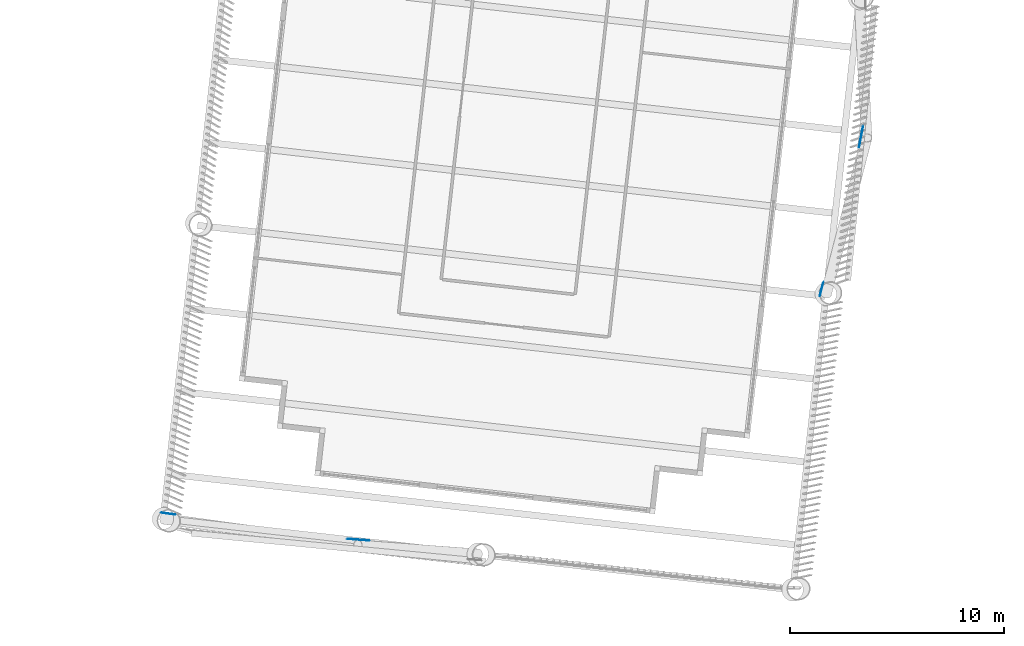
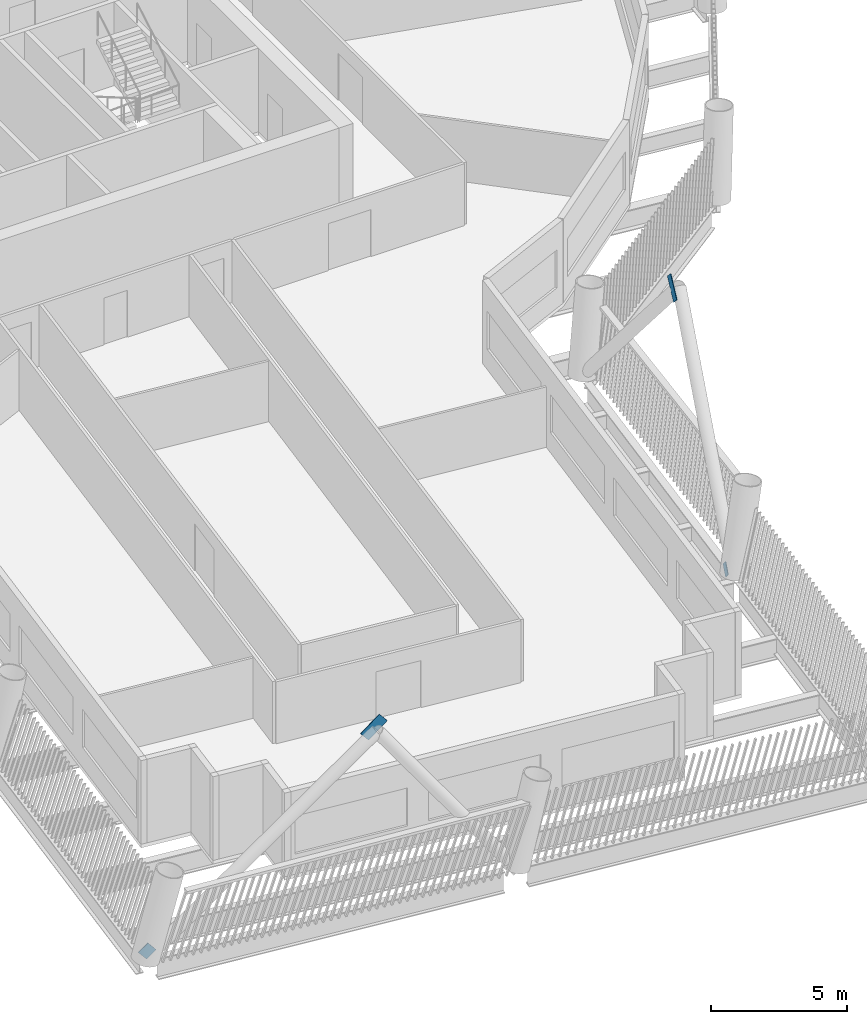
# One storey, part 8 of 22: 4 discrete accessories.
"""IFC4 building model written with IfcOpenShell, lengths in metres."""

from ifc_helpers import new_model, si_unit, direction, frame, origin, origin_2d, place, context, subcontext, project, spatial, rectangle, extrude, material, material_profile, profile_set, type_object, element, save


model = new_model("IFC4")

# Units and contexts
model_context = context("Model", 3, precision=1e-05, world=origin(), true_north=direction((0.0, 1.0)))
body_context = subcontext(model_context, "Body", "Model", "MODEL_VIEW")
ifc_project = project(units=[si_unit("LENGTHUNIT", "METRE"), si_unit("AREAUNIT", "SQUARE_METRE"), si_unit("VOLUMEUNIT", "CUBIC_METRE"), si_unit("PLANEANGLEUNIT", "RADIAN"), si_unit("MASSUNIT", "GRAM", prefix="KILO")], contexts=[model_context])

# Site, building, storey
site_placement = place(None, origin())
site = spatial("IfcSite", under=ifc_project, at=site_placement, CompositionType="ELEMENT")
building_placement = place(site_placement, origin())
building = spatial("IfcBuilding", under=site, at=building_placement, Name="Tarsis Ring Headquarters", CompositionType="ELEMENT")
storey_placement = place(building_placement, frame((0.0, 0.0, 200.39990234375)))
storey = spatial("IfcBuildingStorey", under=building, at=storey_placement, Name="L46", CompositionType="ELEMENT", Elevation=200.39990234375)

# Discrete accessories
ifc_material = material(Name="Structural steel S355", Category="steel")
ifc_material_profile = material_profile(ifc_material, rectangle(XDim=0.02490234375, YDim=0.5, at=origin_2d()), Name="PL 25x500")
ifc_profile_set = profile_set([ifc_material_profile], Name="Structural steel S355")
discrete_accessory_type = type_object("IfcDiscreteAccessoryType", Name="Gusset plate Exo brace 25", PredefinedType="BRACKET", material=ifc_profile_set)
discrete_accessory_1_placement = place(storey_placement, frame((-20.592529296875, -50.542724609375, 0.0), z_axis=(0.754731226633, -0.103494838322, 0.647819105913), x_axis=(0.135856689467, 0.990728499604, 0.0)))
element("IfcDiscreteAccessory", 1, at=discrete_accessory_1_placement, inside=storey, type_object=discrete_accessory_type, Name="Gusset plate GP5", PredefinedType="BRACKET", context=body_context, shape_type="SweptSolid", body=[
    extrude(rectangle(XDim=0.02490234375, YDim=0.5, at=origin_2d()), origin(), (0.0, 0.0, 1.0), 0.5),
])
discrete_accessory_2_placement = place(storey_placement, frame((-11.897705078125, -51.758056640625, 7.47607421875), z_axis=(0.75950978209, -0.057616299766, 0.647939235508), x_axis=(0.075642513733, 0.997135000948, 0.0)))
element("IfcDiscreteAccessory", 2, at=discrete_accessory_2_placement, inside=storey, type_object=discrete_accessory_type, Name="Gusset plate GP5", PredefinedType="BRACKET", context=body_context, shape_type="SweptSolid", body=[
    extrude(rectangle(XDim=0.02490234375, YDim=0.5, at=origin_2d()), origin(), (0.0, 0.0, 1.0), 1.0),
])
discrete_accessory_3_placement = place(storey_placement, frame((10.085693359375, -40.245361328125, 0.0), z_axis=(0.174753177056, 0.672653290455, 0.719026340233), x_axis=(-0.967870384326, 0.251449635405, 0.0)))
element("IfcDiscreteAccessory", 3, at=discrete_accessory_3_placement, inside=storey, type_object=discrete_accessory_type, Name="Gusset plate GP5", PredefinedType="BRACKET", context=body_context, shape_type="SweptSolid", body=[
    extrude(rectangle(XDim=0.02490234375, YDim=0.5, at=origin_2d()), origin(), (0.0, 0.0, 1.0), 0.500244140625),
])
discrete_accessory_4_placement = place(storey_placement, frame((11.9091796875, -33.303955078125, 7.43994140625), z_axis=(0.130849310485, 0.681099955696, 0.720403573212), x_axis=(-0.982041578383, 0.188664618643, 0.0)))
element("IfcDiscreteAccessory", 4, at=discrete_accessory_4_placement, inside=storey, type_object=discrete_accessory_type, Name="Gusset plate GP5", PredefinedType="BRACKET", context=body_context, shape_type="SweptSolid", body=[
    extrude(rectangle(XDim=0.02490234375, YDim=0.5, at=origin_2d()), origin(), (0.0, 0.0, 1.0), 1.0),
])

save(model, "model.ifc")
